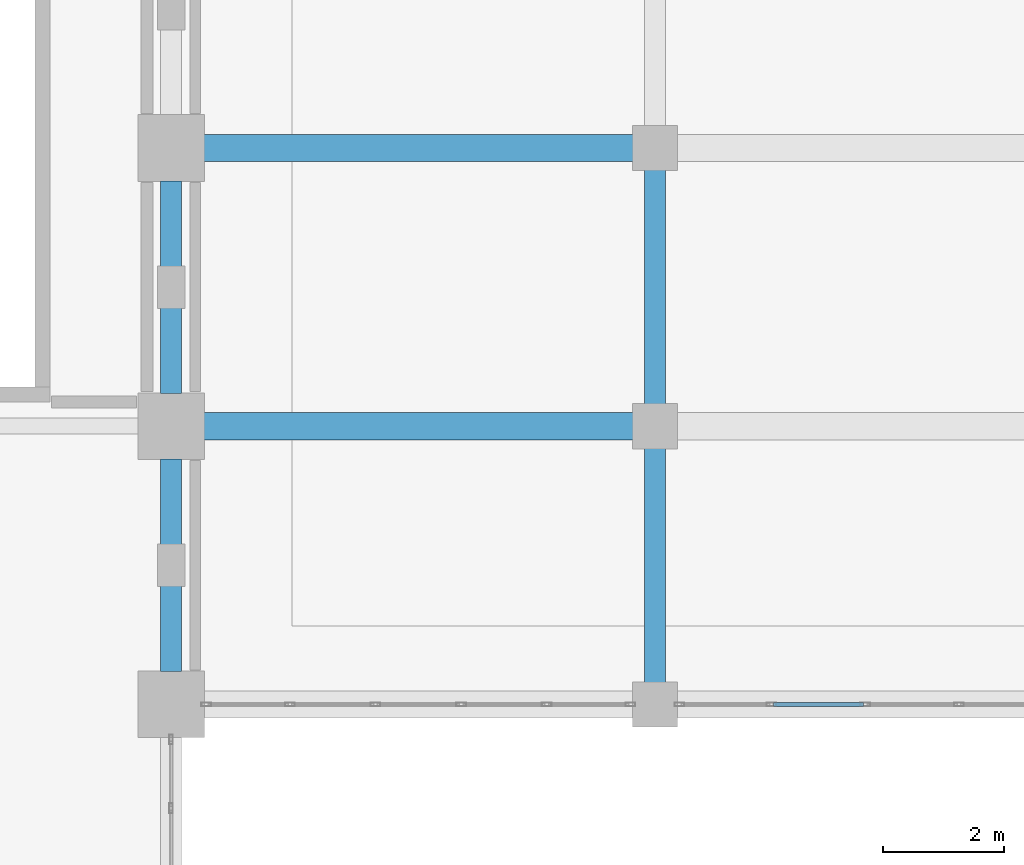
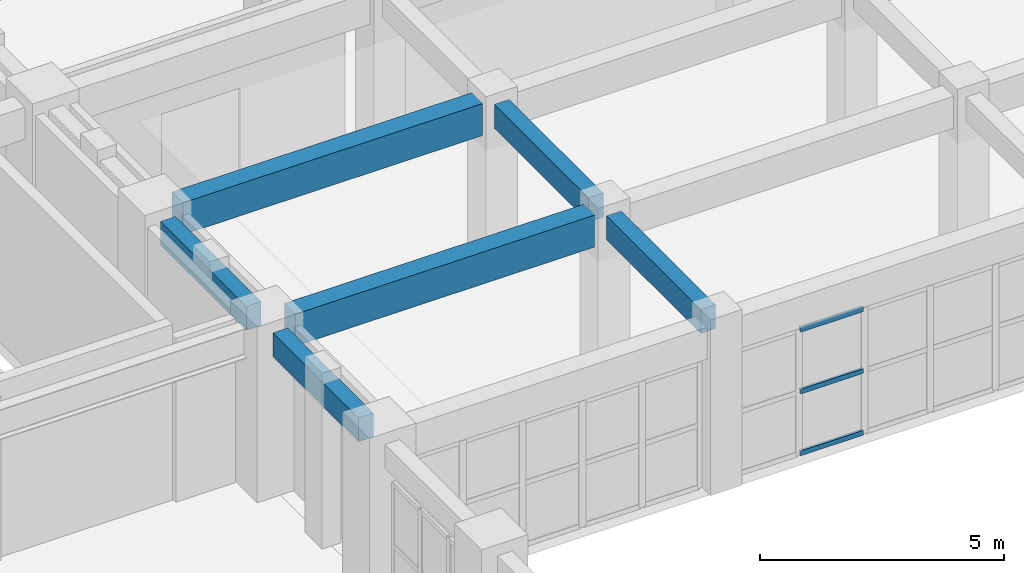
# One storey, part 42 of 90: 6 beams, 3 members, 1 element without a shape of its own.
"""IFC4 building model written with IfcOpenShell, lengths in metres."""

from ifc_helpers import new_model, si_unit, direction, frame, origin, origin_2d, place, context, subcontext, project, spatial, rectangle, hollow_rectangle, extrude, material, layer, layer_set, material_profile, profile_set, type_object, element, aggregate, save


model = new_model("IFC4")

# Units and contexts
model_context = context("Model", 3, precision=1e-05, world=origin(), true_north=direction((0.0, 1.0)))
body_context = subcontext(model_context, "Body", "Model", "MODEL_VIEW")
ifc_project = project(units=[si_unit("LENGTHUNIT", "METRE"), si_unit("AREAUNIT", "SQUARE_METRE"), si_unit("VOLUMEUNIT", "CUBIC_METRE"), si_unit("PLANEANGLEUNIT", "RADIAN"), si_unit("MASSUNIT", "GRAM", prefix="KILO")], contexts=[model_context])

# Site, building, storey
site_placement = place(None, origin())
site = spatial("IfcSite", under=ifc_project, at=site_placement, CompositionType="ELEMENT")
building_placement = place(site_placement, origin())
building = spatial("IfcBuilding", under=site, at=building_placement, Name="Muzn Square Opera House", CompositionType="ELEMENT")
storey_placement = place(building_placement, frame((0.0, 0.0, 9.800048828125)))
storey = spatial("IfcBuildingStorey", under=building, at=storey_placement, Name="L02", CompositionType="ELEMENT", Elevation=9.800048828125)

# Curtain wall, members
ifc_material_1 = material(Name="Low-E laminated acoustic double glazing", Category="glass")
ifc_layer = layer(ifc_material_1, 0.159912109375, Name="Low-E laminated acoustic double glazing", Category="glass")
ifc_layer_set = layer_set([ifc_layer], Name="Low-E laminated acoustic double glazing")
curtain_wall_type = type_object("IfcCurtainWallType", Name="Glazed Curtain Wall EastCloisterN 7750x3150", PredefinedType="USERDEFINED", material=ifc_layer_set)
curtain_wall_placement = place(storey_placement, origin())
curtain_wall = element("IfcCurtainWall", 1, at=curtain_wall_placement, inside=storey, type_object=curtain_wall_type, Name="Glazed Curtain Wall CW-L02-102", ObjectType="GLAZED CURTAIN WALL", PredefinedType="USERDEFINED")
ifc_material_2 = material(Name="Anodised bronze aluminium 6063-T6", Category="metal")
ifc_material_profile_1 = material_profile(ifc_material_2, hollow_rectangle(XDim=0.06005859375, YDim=0.1201171875, WallThickness=0.00390625, at=origin_2d()), Name="ALU 120x60x4", Category="metal")
ifc_profile_set_1 = profile_set([ifc_material_profile_1], Name="Anodised bronze aluminium 6063-T6")
member_type = type_object("IfcMemberType", Name="Curtain Wall Transom 120x60", PredefinedType="USERDEFINED", material=ifc_profile_set_1)
member_1_placement = place(storey_placement, frame((142.955078125, 54.199951171875, 0.030029296875), z_axis=(1.0, 0.0, 0.0), x_axis=(0.0, 1.0, 0.0)))
member_1 = element("IfcMember", 2, at=member_1_placement, type_object=member_type, Name="CW-ECN-77x31 transom 2.1", ObjectType="TRANSOM", PredefinedType="USERDEFINED", context=body_context, shape_type="SweptSolid", body=[
    extrude(hollow_rectangle(XDim=0.06005859375, YDim=0.1201171875, WallThickness=0.00390625, at=origin_2d()), origin(), (0.0, 0.0, 1.0), 1.489990234375),
])
member_2_placement = place(storey_placement, frame((142.955078125, 54.199951171875, 1.574951171875), z_axis=(1.0, 0.0, 0.0), x_axis=(0.0, 1.0, 0.0)))
member_2 = element("IfcMember", 3, at=member_2_placement, type_object=member_type, Name="CW-ECN-77x31 transom 2.2", ObjectType="TRANSOM", PredefinedType="USERDEFINED", context=body_context, shape_type="SweptSolid", body=[
    extrude(hollow_rectangle(XDim=0.06005859375, YDim=0.1201171875, WallThickness=0.00390625, at=origin_2d()), origin(), (0.0, 0.0, 1.0), 1.489990234375),
])
member_3_placement = place(storey_placement, frame((142.955078125, 54.199951171875, 3.119873046875), z_axis=(1.0, 0.0, 0.0), x_axis=(0.0, 1.0, 0.0)))
member_3 = element("IfcMember", 4, at=member_3_placement, type_object=member_type, Name="CW-ECN-77x31 transom 2.3", ObjectType="TRANSOM", PredefinedType="USERDEFINED", context=body_context, shape_type="SweptSolid", body=[
    extrude(hollow_rectangle(XDim=0.06005859375, YDim=0.1201171875, WallThickness=0.00390625, at=origin_2d()), origin(), (0.0, 0.0, 1.0), 1.489990234375),
])
aggregate(curtain_wall, [member_1, member_2, member_3])

# Beams
ifc_material_3 = material(Name="Concrete C40/50", Category="concrete")
ifc_material_profile_2 = material_profile(ifc_material_3, rectangle(XDim=0.35009765625, YDim=0.60009765625, at=origin_2d()), Name="RCB 350x600", Category="concrete")
ifc_profile_set_2 = profile_set([ifc_material_profile_2], Name="Concrete C40/50")
beam_type_1 = type_object("IfcBeamType", Name="Primary Girder 350x600", PredefinedType="BEAM", material=ifc_profile_set_2)
beam_1_placement = place(storey_placement, frame((133.0, 54.741943359375, 3.820068359375), z_axis=(0.0, 1.0, 0.0), x_axis=(-1.0, 0.0, 0.0)))
element("IfcBeam", 5, at=beam_1_placement, inside=storey, type_object=beam_type_1, Name="Primary Girder BM-L02-BM-PG600-1330_547_1330_583-2253", PredefinedType="BEAM", context=body_context, shape_type="SweptSolid", body=[
    extrude(rectangle(XDim=0.35009765625, YDim=0.60009765625, at=origin_2d()), origin(), (0.0, 0.0, 1.0), 3.51611328125),
])
beam_2_placement = place(storey_placement, frame((133.0, 59.342041015625, 3.820068359375), z_axis=(0.0, 1.0, 0.0), x_axis=(-1.0, 0.0, 0.0)))
element("IfcBeam", 6, at=beam_2_placement, inside=storey, type_object=beam_type_1, Name="Primary Girder BM-L02-BM-PG600-1330_593_1330_629-2254", PredefinedType="BEAM", context=body_context, shape_type="SweptSolid", body=[
    extrude(rectangle(XDim=0.35009765625, YDim=0.60009765625, at=origin_2d()), origin(), (0.0, 0.0, 1.0), 3.515869140625),
])
beam_3_placement = place(storey_placement, frame((141.0, 54.56689453125, 3.83984375), z_axis=(0.0, 1.0, 0.0), x_axis=(-1.0, 0.0, 0.0)))
element("IfcBeam", 7, at=beam_3_placement, inside=storey, type_object=beam_type_1, Name="Primary Girder BM-L02-BM-PG600-1410_546_1410_584-2263", PredefinedType="BEAM", context=body_context, shape_type="SweptSolid", body=[
    extrude(rectangle(XDim=0.35009765625, YDim=0.60009765625, at=origin_2d()), origin(), (0.0, 0.0, 1.0), 3.8662109375),
])
beam_4_placement = place(storey_placement, frame((141.0, 59.1669921875, 3.83984375), z_axis=(0.0, 1.0, 0.0), x_axis=(-1.0, 0.0, 0.0)))
element("IfcBeam", 8, at=beam_4_placement, inside=storey, type_object=beam_type_1, Name="Primary Girder BM-L02-BM-PG600-1410_592_1410_630-2264", PredefinedType="BEAM", context=body_context, shape_type="SweptSolid", body=[
    extrude(rectangle(XDim=0.35009765625, YDim=0.60009765625, at=origin_2d()), origin(), (0.0, 0.0, 1.0), 3.865966796875),
])
ifc_material_profile_3 = material_profile(ifc_material_3, rectangle(XDim=0.449951171875, YDim=0.800048828125, at=origin_2d()), Name="RCB 450x800", Category="concrete")
ifc_profile_set_3 = profile_set([ifc_material_profile_3], Name="Concrete C40/50")
beam_type_2 = type_object("IfcBeamType", Name="Primary Girder 450x800", PredefinedType="BEAM", material=ifc_profile_set_3)
for number, where, z_axis, x_axis, name in (
    (9, (133.5419921875, 58.800048828125, 3.739990234375), (1.0, 0.0, 0.0), (0.0, 1.0, 0.0), "Primary Girder BM-L02-BM-PG800-1335_588_1406_588-2020"),
    (10, (133.5419921875, 63.39990234375, 3.739990234375), (1.0, 0.0, 0.0), (0.0, 1.0, 0.0), "Primary Girder BM-L02-BM-PG800-1335_634_1406_634-2032"),
):
    element("IfcBeam", number, at=place(storey_placement, frame(where, z_axis=z_axis, x_axis=x_axis)), inside=storey, type_object=beam_type_2, Name=name, PredefinedType="BEAM", context=body_context, shape_type="SweptSolid", body=[
        extrude(rectangle(XDim=0.449951171875, YDim=0.800048828125, at=origin_2d()), origin(), (0.0, 0.0, 1.0), 7.091064453125),
    ])

save(model, "model.ifc")
